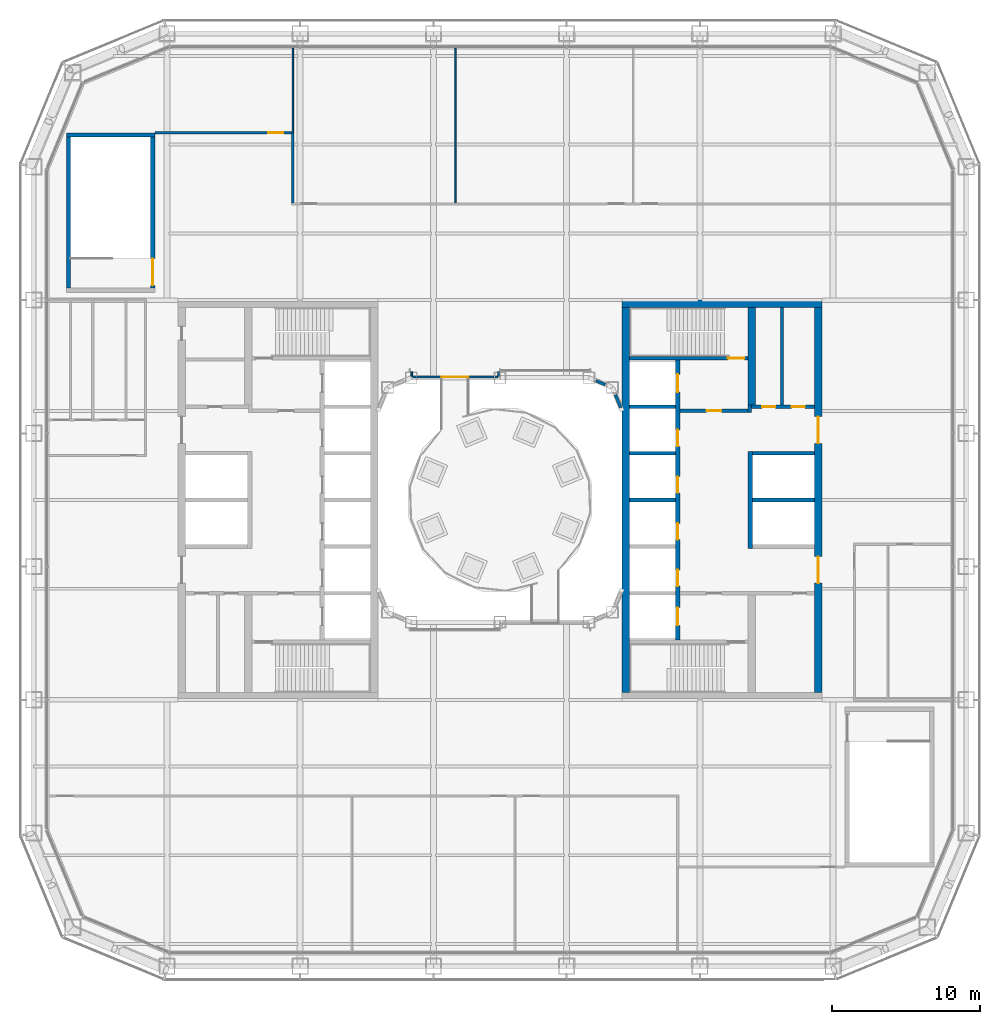
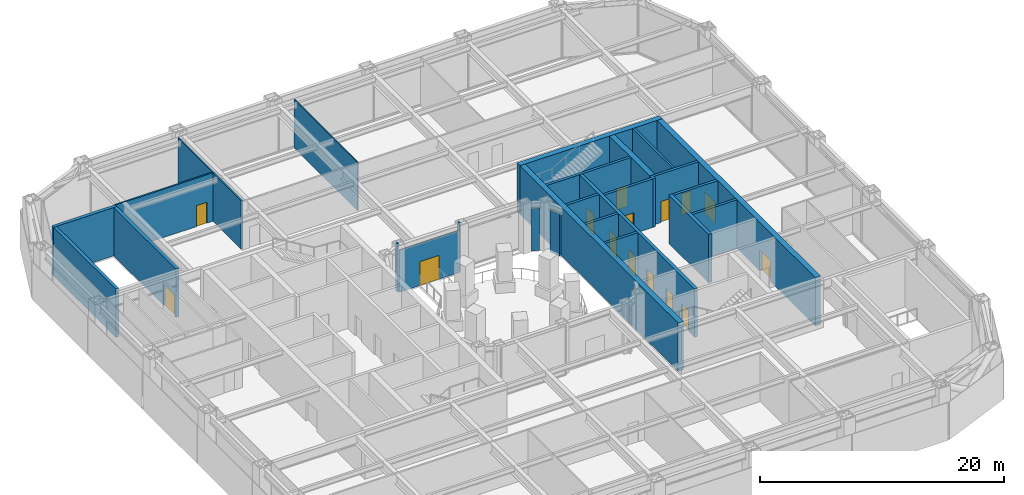
# One storey, part 14 of 25: 28 walls, 15 doors, 15 openings.
"""IFC4 building model written with IfcOpenShell, lengths in metres."""

from ifc_helpers import new_model, si_unit, direction, frame, frame_2d, origin, place, context, subcontext, project, spatial, rectangle, extrude, material, layer, layer_set, type_object, element, fill, save


model = new_model("IFC4")

# Units and contexts
model_context = context("Model", 3, precision=1e-05, world=origin(), true_north=direction((0.0, 1.0)))
body_context = subcontext(model_context, "Body", "Model", "MODEL_VIEW")
ifc_project = project(units=[si_unit("LENGTHUNIT", "METRE"), si_unit("AREAUNIT", "SQUARE_METRE"), si_unit("VOLUMEUNIT", "CUBIC_METRE"), si_unit("PLANEANGLEUNIT", "RADIAN"), si_unit("MASSUNIT", "GRAM", prefix="KILO")], contexts=[model_context])

# Site, building, storey
site_placement = place(None, origin())
site = spatial("IfcSite", under=ifc_project, at=site_placement, CompositionType="ELEMENT")
building_placement = place(site_placement, origin())
building = spatial("IfcBuilding", under=site, at=building_placement, Name="Siwar Civic Tower", CompositionType="ELEMENT")
storey_placement = place(building_placement, frame((0.0, 0.0, 17.199951171875)))
storey = spatial("IfcBuildingStorey", under=building, at=storey_placement, Name="L03", CompositionType="ELEMENT", Elevation=17.199951171875)

# Wall
ifc_material_1 = material(Name="Gypsum board on steel studs", Category="steel")
ifc_layer_1 = layer(ifc_material_1, 0.199951171875)
ifc_layer_set_1 = layer_set([ifc_layer_1], Name="Gypsum board on steel studs")
wall_type_1 = type_object("IfcWallType", Name="CORE-PARTITION-200", PredefinedType="PARTITIONING", material=ifc_layer_set_1)
wall_1_placement = place(storey_placement, frame((19.050048828125, 6.425048828125, 0.0), z_axis=(0.0, 0.0, 1.0), x_axis=(0.0, 1.0, 0.0)))
element("IfcWall", 1, at=wall_1_placement, inside=storey, type_object=wall_type_1, Name="Core partition E", PredefinedType="PARTITIONING", context=body_context, shape_type="SweptSolid", body=[
    extrude(rectangle(XDim=6.574951171875, YDim=0.199951171875, at=frame_2d((3.28759765625, 0.0))), origin(), (0.0, 0.0, 1.0), 4.85009765625),
])

# Wall, opening, door
ifc_material_2 = material(Name="Concrete C60/75", Category="concrete")
ifc_layer_2 = layer(ifc_material_2, 0.25)
ifc_layer_set_2 = layer_set([ifc_layer_2], Name="Concrete C60/75")
wall_type_2 = type_object("IfcWallType", Name="CORE-WALL-RC250", PredefinedType="SHEAR", material=ifc_layer_set_2)
wall_2_placement = place(storey_placement, frame((12.14990234375, 6.02490234375, 0.0), z_axis=(0.0, 0.0, 1.0), x_axis=(1.0, 0.0, 0.0)))
wall_2 = element("IfcWall", 2, at=wall_2_placement, inside=storey, type_object=wall_type_2, Name="Core wall E", PredefinedType="SHEAR", context=body_context, shape_type="SweptSolid", body=[
    extrude(rectangle(XDim=4.60009765625, YDim=0.25, at=frame_2d((2.300048828125, 0.0))), origin(), (0.0, 0.0, 1.0), 4.85009765625),
])
opening_1_placement = place(wall_2_placement, frame((1.800048828125, 0.0, 0.0)))
opening_1 = element("IfcOpeningElement", 3, at=opening_1_placement, cuts=wall_2, Name="Opening L03-CE01", PredefinedType="OPENING", context=body_context, shape_type="SweptSolid", body=[
    extrude(rectangle(XDim=1.0, YDim=2.10009765625, at=frame_2d((0.5, 1.050048828125))), frame((0.0, 0.135009765625, 0.0), z_axis=(0.0, -1.0, 0.0), x_axis=(1.0, 0.0, 0.0)), (0.0, 0.0, 1.0), 0.27001953125),
])
ifc_material_3 = material(Name="Steel door leaf", Category="steel")
door_type_1 = type_object("IfcDoorType", Name="CORE-DOOR-FD30S", OperationType="SINGLE_SWING_LEFT", PredefinedType="DOOR", material=ifc_material_3)
door_1_placement = place(opening_1_placement, origin())
door_1 = element("IfcDoor", 4, at=door_1_placement, inside=storey, type_object=door_type_1, Name="Firefighting lobby door L03-CE01", OperationType="SINGLE_SWING_RIGHT", OverallHeight=2.10009765625, OverallWidth=1.0, PredefinedType="DOOR", context=body_context, shape_type="SweptSolid", body=[
    extrude(rectangle(XDim=1.0, YDim=2.10009765625, at=frame_2d((0.5, 1.050048828125))), frame((0.0, 0.02490234375, 0.0), z_axis=(0.0, -1.0, 0.0), x_axis=(1.0, 0.0, 0.0)), (0.0, 0.0, 1.0), 0.050048828125),
])
fill(opening_1, door_1)

# Wall
wall_3_placement = place(storey_placement, frame((16.875, 5.89990234375, 0.0), z_axis=(0.0, 0.0, 1.0), x_axis=(0.0, 1.0, 0.0)))
element("IfcWall", 5, at=wall_3_placement, inside=storey, type_object=wall_type_2, Name="Core wall E", PredefinedType="SHEAR", context=body_context, shape_type="SweptSolid", body=[
    extrude(rectangle(XDim=0.525146484375, YDim=0.25, at=frame_2d((0.2626953125, 0.0))), origin(), (0.0, 0.0, 1.0), 4.85009765625),
])

# Wall, openings, doors
wall_4_placement = place(storey_placement, frame((17.0, 6.300048828125, 0.0), z_axis=(0.0, 0.0, 1.0), x_axis=(1.0, 0.0, 0.0)))
wall_4 = element("IfcWall", 6, at=wall_4_placement, inside=storey, type_object=wall_type_2, Name="Core wall E", PredefinedType="SHEAR", context=body_context, shape_type="SweptSolid", body=[
    extrude(rectangle(XDim=4.25, YDim=0.25, at=frame_2d((2.125, 0.0))), origin(), (0.0, 0.0, 1.0), 4.85009765625),
])
opening_2_placement = place(wall_4_placement, frame((0.699951171875, 0.0, 0.0)))
opening_2 = element("IfcOpeningElement", 7, at=opening_2_placement, cuts=wall_4, Name="Opening L03-CE13", PredefinedType="OPENING", context=body_context, shape_type="SweptSolid", body=[
    extrude(rectangle(XDim=0.89990234375, YDim=2.10009765625, at=frame_2d((0.449951171875, 1.050048828125))), frame((0.0, 0.135009765625, 0.0), z_axis=(0.0, -1.0, 0.0), x_axis=(1.0, 0.0, 0.0)), (0.0, 0.0, 1.0), 0.27001953125),
])
opening_3_placement = place(wall_4_placement, frame((2.699951171875, 0.0, 0.0)))
opening_3 = element("IfcOpeningElement", 8, at=opening_3_placement, cuts=wall_4, Name="Opening L03-CE14", PredefinedType="OPENING", context=body_context, shape_type="SweptSolid", body=[
    extrude(rectangle(XDim=0.89990234375, YDim=2.10009765625, at=frame_2d((0.449951171875, 1.050048828125))), frame((0.0, 0.135009765625, 0.0), z_axis=(0.0, -1.0, 0.0), x_axis=(1.0, 0.0, 0.0)), (0.0, 0.0, 1.0), 0.27001953125),
])
ifc_material_4 = material(Name="Steel door leaf", Category="steel")
door_type_2 = type_object("IfcDoorType", Name="CORE-DOOR-ROOM", OperationType="SINGLE_SWING_LEFT", PredefinedType="DOOR", material=ifc_material_4)
door_2_placement = place(opening_2_placement, origin())
door_2 = element("IfcDoor", 9, at=door_2_placement, inside=storey, type_object=door_type_2, Name="Core room door L03-CE13", OperationType="SINGLE_SWING_LEFT", OverallHeight=2.10009765625, OverallWidth=0.89990234375, PredefinedType="DOOR", context=body_context, shape_type="SweptSolid", body=[
    extrude(rectangle(XDim=0.89990234375, YDim=2.10009765625, at=frame_2d((0.449951171875, 1.050048828125))), frame((0.0, 0.02490234375, 0.0), z_axis=(0.0, -1.0, 0.0), x_axis=(1.0, 0.0, 0.0)), (0.0, 0.0, 1.0), 0.050048828125),
])
fill(opening_2, door_2)
door_3_placement = place(opening_3_placement, origin())
door_3 = element("IfcDoor", 10, at=door_3_placement, inside=storey, type_object=door_type_2, Name="Core room door L03-CE14", OperationType="SINGLE_SWING_RIGHT", OverallHeight=2.10009765625, OverallWidth=0.89990234375, PredefinedType="DOOR", context=body_context, shape_type="SweptSolid", body=[
    extrude(rectangle(XDim=0.89990234375, YDim=2.10009765625, at=frame_2d((0.449951171875, 1.050048828125))), frame((0.0, 0.02490234375, 0.0), z_axis=(0.0, -1.0, 0.0), x_axis=(1.0, 0.0, 0.0)), (0.0, 0.0, 1.0), 0.050048828125),
])
fill(opening_3, door_3)

# Walls
for number, where, z_axis, x_axis, name in (
    (11, (17.050048828125, 0.0, 0.0), (0.0, 0.0, 1.0), (1.0, 0.0, 0.0), "Core wall E"),
    (12, (17.050048828125, 3.14990234375, 0.0), (0.0, 0.0, 1.0), (1.0, 0.0, 0.0), "Core wall E"),
):
    element("IfcWall", number, at=place(storey_placement, frame(where, z_axis=z_axis, x_axis=x_axis)), inside=storey, type_object=wall_type_2, Name=name, PredefinedType="SHEAR", context=body_context, shape_type="SweptSolid", body=[
        extrude(rectangle(XDim=4.199951171875, YDim=0.25, at=frame_2d((2.10009765625, 0.0))), origin(), (0.0, 0.0, 1.0), 4.85009765625),
    ])
for number, where, z_axis, x_axis, name in (
    (13, (8.75, 0.0, 0.0), (0.0, 0.0, 1.0), (1.0, 0.0, 0.0), "Core wall E"),
    (14, (8.75, 3.14990234375, 0.0), (0.0, 0.0, 1.0), (1.0, 0.0, 0.0), "Core wall E"),
    (15, (8.75, 6.300048828125, 0.0), (0.0, 0.0, 1.0), (1.0, 0.0, 0.0), "Core wall E"),
):
    element("IfcWall", number, at=place(storey_placement, frame(where, z_axis=z_axis, x_axis=x_axis)), inside=storey, type_object=wall_type_2, Name=name, PredefinedType="SHEAR", context=body_context, shape_type="SweptSolid", body=[
        extrude(rectangle(XDim=3.10009765625, YDim=0.25, at=frame_2d((1.550048828125, 0.0))), origin(), (0.0, 0.0, 1.0), 4.85009765625),
    ])

# Wall, opening, door
wall_5_placement = place(storey_placement, frame((8.75, 9.574951171875, 0.0), z_axis=(0.0, 0.0, 1.0), x_axis=(1.0, 0.0, 0.0)))
wall_5 = element("IfcWall", 16, at=wall_5_placement, inside=storey, type_object=wall_type_2, Name="Core wall E", PredefinedType="SHEAR", context=body_context, shape_type="SweptSolid", body=[
    extrude(rectangle(XDim=8.0, YDim=0.25, at=frame_2d((4.0, 0.0))), origin(), (0.0, 0.0, 1.0), 4.85009765625),
])
opening_4_placement = place(wall_5_placement, frame((6.64990234375, 0.0, 0.0)))
opening_4 = element("IfcOpeningElement", 17, at=opening_4_placement, cuts=wall_5, Name="Opening L03-CE03", PredefinedType="OPENING", context=body_context, shape_type="SweptSolid", body=[
    extrude(rectangle(XDim=1.10009765625, YDim=2.10009765625, at=frame_2d((0.550048828125, 1.050048828125))), frame((0.0, 0.135009765625, 0.0), z_axis=(0.0, -1.0, 0.0), x_axis=(1.0, 0.0, 0.0)), (0.0, 0.0, 1.0), 0.27001953125),
])
ifc_material_5 = material(Name="Steel door leaf", Category="steel")
door_type_3 = type_object("IfcDoorType", Name="CORE-DOOR-FD60S", OperationType="SINGLE_SWING_LEFT", PredefinedType="DOOR", material=ifc_material_5)
door_4_placement = place(opening_4_placement, origin())
door_4 = element("IfcDoor", 18, at=door_4_placement, inside=storey, type_object=door_type_3, Name="Stair door L03-CE03", OperationType="SINGLE_SWING_LEFT", OverallHeight=2.10009765625, OverallWidth=1.10009765625, PredefinedType="DOOR", context=body_context, shape_type="SweptSolid", body=[
    extrude(rectangle(XDim=1.10009765625, YDim=2.10009765625, at=frame_2d((0.550048828125, 1.050048828125))), frame((0.0, 0.02490234375, 0.0), z_axis=(0.0, -1.0, 0.0), x_axis=(1.0, 0.0, 0.0)), (0.0, 0.0, 1.0), 0.050048828125),
])
fill(opening_4, door_4)

# Wall, openings, doors
ifc_material_6 = material(Name="Concrete C60/75", Category="concrete")
ifc_layer_3 = layer(ifc_material_6, 0.300048828125)
ifc_layer_set_3 = layer_set([ifc_layer_3], Name="Concrete C60/75")
wall_type_3 = type_object("IfcWallType", Name="CORE-WALL-RC300", PredefinedType="SHEAR", material=ifc_layer_set_3)
wall_6_placement = place(storey_placement, frame((12.0, -9.449951171875, 0.0), z_axis=(0.0, 0.0, 1.0), x_axis=(0.0, 1.0, 0.0)))
wall_6 = element("IfcWall", 19, at=wall_6_placement, inside=storey, type_object=wall_type_3, Name="Core wall E", PredefinedType="SHEAR", context=body_context, shape_type="SweptSolid", body=[
    extrude(rectangle(XDim=18.89990234375, YDim=0.300048828125, at=frame_2d((9.449951171875, 0.0))), origin(), (0.0, 0.0, 1.0), 4.85009765625),
])
opening_5_placement = place(wall_6_placement, frame((3.625, 0.0, 0.0)))
opening_5 = element("IfcOpeningElement", 20, at=opening_5_placement, cuts=wall_6, Name="Opening L03-CE07", PredefinedType="OPENING", context=body_context, shape_type="SweptSolid", body=[
    extrude(rectangle(XDim=1.10009765625, YDim=2.10009765625, at=frame_2d((0.550048828125, 1.050048828125))), frame((0.0, 0.16015625, 0.0), z_axis=(0.0, -1.0, 0.0), x_axis=(1.0, 0.0, 0.0)), (0.0, 0.0, 1.0), 0.320068359375),
])
opening_6_placement = place(wall_6_placement, frame((6.77490234375, 0.0, 0.0)))
opening_6 = element("IfcOpeningElement", 21, at=opening_6_placement, cuts=wall_6, Name="Opening L03-CE08", PredefinedType="OPENING", context=body_context, shape_type="SweptSolid", body=[
    extrude(rectangle(XDim=1.10009765625, YDim=2.10009765625, at=frame_2d((0.550048828125, 1.050048828125))), frame((0.0, 0.16015625, 0.0), z_axis=(0.0, -1.0, 0.0), x_axis=(1.0, 0.0, 0.0)), (0.0, 0.0, 1.0), 0.320068359375),
])
opening_7_placement = place(wall_6_placement, frame((9.925048828125, 0.0, 0.0)))
opening_7 = element("IfcOpeningElement", 22, at=opening_7_placement, cuts=wall_6, Name="Opening L03-CE09", PredefinedType="OPENING", context=body_context, shape_type="SweptSolid", body=[
    extrude(rectangle(XDim=1.10009765625, YDim=2.10009765625, at=frame_2d((0.550048828125, 1.050048828125))), frame((0.0, 0.16015625, 0.0), z_axis=(0.0, -1.0, 0.0), x_axis=(1.0, 0.0, 0.0)), (0.0, 0.0, 1.0), 0.320068359375),
])
opening_8_placement = place(wall_6_placement, frame((13.074951171875, 0.0, 0.0)))
opening_8 = element("IfcOpeningElement", 23, at=opening_8_placement, cuts=wall_6, Name="Opening L03-CE10", PredefinedType="OPENING", context=body_context, shape_type="SweptSolid", body=[
    extrude(rectangle(XDim=1.10009765625, YDim=2.10009765625, at=frame_2d((0.550048828125, 1.050048828125))), frame((0.0, 0.16015625, 0.0), z_axis=(0.0, -1.0, 0.0), x_axis=(1.0, 0.0, 0.0)), (0.0, 0.0, 1.0), 0.320068359375),
])
opening_9_placement = place(wall_6_placement, frame((16.72509765625, 0.0, 0.0)))
opening_9 = element("IfcOpeningElement", 24, at=opening_9_placement, cuts=wall_6, Name="Opening L03-CE11", PredefinedType="OPENING", context=body_context, shape_type="SweptSolid", body=[
    extrude(rectangle(XDim=1.199951171875, YDim=2.10009765625, at=frame_2d((0.60009765625, 1.050048828125))), frame((0.0, 0.16015625, 0.0), z_axis=(0.0, -1.0, 0.0), x_axis=(1.0, 0.0, 0.0)), (0.0, 0.0, 1.0), 0.320068359375),
])
opening_10_placement = place(wall_6_placement, frame((0.97509765625, 0.0, 0.0)))
opening_10 = element("IfcOpeningElement", 25, at=opening_10_placement, cuts=wall_6, Name="Opening L03-CE12", PredefinedType="OPENING", context=body_context, shape_type="SweptSolid", body=[
    extrude(rectangle(XDim=1.199951171875, YDim=2.10009765625, at=frame_2d((0.60009765625, 1.050048828125))), frame((0.0, 0.16015625, 0.0), z_axis=(0.0, -1.0, 0.0), x_axis=(1.0, 0.0, 0.0)), (0.0, 0.0, 1.0), 0.320068359375),
])
ifc_material_7 = material(Name="Steel door leaf", Category="steel")
door_type_4 = type_object("IfcDoorType", Name="CORE-DOOR-LD", OperationType="DOUBLE_DOOR_SLIDING", PredefinedType="DOOR", material=ifc_material_7)
door_5_placement = place(opening_5_placement, origin())
door_5 = element("IfcDoor", 26, at=door_5_placement, inside=storey, type_object=door_type_4, Name="Landing door LR5 L03-CE07", OperationType="DOUBLE_DOOR_SLIDING", OverallHeight=2.10009765625, OverallWidth=1.10009765625, PredefinedType="DOOR", context=body_context, shape_type="SweptSolid", body=[
    extrude(rectangle(XDim=1.10009765625, YDim=2.10009765625, at=frame_2d((0.550048828125, 1.050048828125))), frame((0.0, 0.02490234375, 0.0), z_axis=(0.0, -1.0, 0.0), x_axis=(1.0, 0.0, 0.0)), (0.0, 0.0, 1.0), 0.050048828125),
])
fill(opening_5, door_5)
door_6_placement = place(opening_6_placement, origin())
door_6 = element("IfcDoor", 27, at=door_6_placement, inside=storey, type_object=door_type_4, Name="Landing door LR6 L03-CE08", OperationType="DOUBLE_DOOR_SLIDING", OverallHeight=2.10009765625, OverallWidth=1.10009765625, PredefinedType="DOOR", context=body_context, shape_type="SweptSolid", body=[
    extrude(rectangle(XDim=1.10009765625, YDim=2.10009765625, at=frame_2d((0.550048828125, 1.050048828125))), frame((0.0, 0.02490234375, 0.0), z_axis=(0.0, -1.0, 0.0), x_axis=(1.0, 0.0, 0.0)), (0.0, 0.0, 1.0), 0.050048828125),
])
fill(opening_6, door_6)
door_7_placement = place(opening_7_placement, origin())
door_7 = element("IfcDoor", 28, at=door_7_placement, inside=storey, type_object=door_type_4, Name="Landing door LR7 L03-CE09", OperationType="DOUBLE_DOOR_SLIDING", OverallHeight=2.10009765625, OverallWidth=1.10009765625, PredefinedType="DOOR", context=body_context, shape_type="SweptSolid", body=[
    extrude(rectangle(XDim=1.10009765625, YDim=2.10009765625, at=frame_2d((0.550048828125, 1.050048828125))), frame((0.0, 0.02490234375, 0.0), z_axis=(0.0, -1.0, 0.0), x_axis=(1.0, 0.0, 0.0)), (0.0, 0.0, 1.0), 0.050048828125),
])
fill(opening_7, door_7)
door_8_placement = place(opening_8_placement, origin())
door_8 = element("IfcDoor", 29, at=door_8_placement, inside=storey, type_object=door_type_4, Name="Landing door LR8 L03-CE10", OperationType="DOUBLE_DOOR_SLIDING", OverallHeight=2.10009765625, OverallWidth=1.10009765625, PredefinedType="DOOR", context=body_context, shape_type="SweptSolid", body=[
    extrude(rectangle(XDim=1.10009765625, YDim=2.10009765625, at=frame_2d((0.550048828125, 1.050048828125))), frame((0.0, 0.02490234375, 0.0), z_axis=(0.0, -1.0, 0.0), x_axis=(1.0, 0.0, 0.0)), (0.0, 0.0, 1.0), 0.050048828125),
])
fill(opening_8, door_8)
ifc_material_8 = material(Name="Steel door leaf", Category="steel")
door_type_5 = type_object("IfcDoorType", Name="CORE-DOOR-LDW", OperationType="DOUBLE_DOOR_SLIDING", PredefinedType="DOOR", material=ifc_material_8)
door_9_placement = place(opening_9_placement, origin())
door_9 = element("IfcDoor", 30, at=door_9_placement, inside=storey, type_object=door_type_5, Name="Landing door FF2 L03-CE11", OperationType="DOUBLE_DOOR_SLIDING", OverallHeight=2.10009765625, OverallWidth=1.199951171875, PredefinedType="DOOR", context=body_context, shape_type="SweptSolid", body=[
    extrude(rectangle(XDim=1.199951171875, YDim=2.10009765625, at=frame_2d((0.60009765625, 1.050048828125))), frame((0.0, 0.02490234375, 0.0), z_axis=(0.0, -1.0, 0.0), x_axis=(1.0, 0.0, 0.0)), (0.0, 0.0, 1.0), 0.050048828125),
])
fill(opening_9, door_9)
door_10_placement = place(opening_10_placement, origin())
door_10 = element("IfcDoor", 31, at=door_10_placement, inside=storey, type_object=door_type_5, Name="Landing door SV2 L03-CE12", OperationType="DOUBLE_DOOR_SLIDING", OverallHeight=2.10009765625, OverallWidth=1.199951171875, PredefinedType="DOOR", context=body_context, shape_type="SweptSolid", body=[
    extrude(rectangle(XDim=1.199951171875, YDim=2.10009765625, at=frame_2d((0.60009765625, 1.050048828125))), frame((0.0, 0.02490234375, 0.0), z_axis=(0.0, -1.0, 0.0), x_axis=(1.0, 0.0, 0.0)), (0.0, 0.0, 1.0), 0.050048828125),
])
fill(opening_10, door_10)

# Wall
wall_7_placement = place(storey_placement, frame((16.89990234375, -3.27490234375, 0.0), z_axis=(0.0, 0.0, 1.0), x_axis=(0.0, 1.0, 0.0)))
element("IfcWall", 32, at=wall_7_placement, inside=storey, type_object=wall_type_3, Name="Core wall E", PredefinedType="SHEAR", context=body_context, shape_type="SweptSolid", body=[
    extrude(rectangle(XDim=6.5498046875, YDim=0.300048828125, at=frame_2d((3.27490234375, 0.0))), origin(), (0.0, 0.0, 1.0), 4.85009765625),
])

# Wall, openings, doors
ifc_material_9 = material(Name="Concrete C60/75", Category="concrete")
ifc_layer_4 = layer(ifc_material_9, 0.5)
ifc_layer_set_4 = layer_set([ifc_layer_4], Name="Concrete C60/75")
wall_type_4 = type_object("IfcWallType", Name="CORE-WALL-RC500", PredefinedType="SHEAR", material=ifc_layer_set_4)
wall_8_placement = place(storey_placement, frame((21.5, -13.0, 0.0), z_axis=(0.0, 0.0, 1.0), x_axis=(0.0, 1.0, 0.0)))
wall_8 = element("IfcWall", 33, at=wall_8_placement, inside=storey, type_object=wall_type_4, Name="Core wall E", PredefinedType="SHEAR", context=body_context, shape_type="SweptSolid", body=[
    extrude(rectangle(XDim=26.0, YDim=0.5, at=frame_2d((13.0, 0.0))), origin(), (0.0, 0.0, 1.0), 4.85009765625),
])
opening_11_placement = place(wall_8_placement, frame((16.824951171875, 0.0, 0.0)))
opening_11 = element("IfcOpeningElement", 34, at=opening_11_placement, cuts=wall_8, Name="Opening L03-CE05", PredefinedType="OPENING", context=body_context, shape_type="SweptSolid", body=[
    extrude(rectangle(XDim=1.800048828125, YDim=2.10009765625, at=frame_2d((0.89990234375, 1.050048828125))), frame((0.0, 0.260009765625, 0.0), z_axis=(0.0, -1.0, 0.0), x_axis=(1.0, 0.0, 0.0)), (0.0, 0.0, 1.0), 0.52001953125),
])
opening_12_placement = place(wall_8_placement, frame((7.375, 0.0, 0.0)))
opening_12 = element("IfcOpeningElement", 35, at=opening_12_placement, cuts=wall_8, Name="Opening L03-CE06", PredefinedType="OPENING", context=body_context, shape_type="SweptSolid", body=[
    extrude(rectangle(XDim=1.800048828125, YDim=2.10009765625, at=frame_2d((0.89990234375, 1.050048828125))), frame((0.0, 0.260009765625, 0.0), z_axis=(0.0, -1.0, 0.0), x_axis=(1.0, 0.0, 0.0)), (0.0, 0.0, 1.0), 0.52001953125),
])
ifc_material_10 = material(Name="Steel door leaf", Category="steel")
door_type_6 = type_object("IfcDoorType", Name="CORE-DOOR-PORT", OperationType="DOUBLE_DOOR_DOUBLE_SWING", PredefinedType="DOOR", material=ifc_material_10)
door_11_placement = place(opening_11_placement, origin())
door_11 = element("IfcDoor", 36, at=door_11_placement, inside=storey, type_object=door_type_6, Name="Core entrance door L03-CE05", OperationType="DOUBLE_DOOR_DOUBLE_SWING", OverallHeight=2.10009765625, OverallWidth=1.800048828125, PredefinedType="DOOR", context=body_context, shape_type="SweptSolid", body=[
    extrude(rectangle(XDim=1.800048828125, YDim=2.10009765625, at=frame_2d((0.89990234375, 1.050048828125))), frame((0.0, 0.02490234375, 0.0), z_axis=(0.0, -1.0, 0.0), x_axis=(1.0, 0.0, 0.0)), (0.0, 0.0, 1.0), 0.050048828125),
])
fill(opening_11, door_11)
door_12_placement = place(opening_12_placement, origin())
door_12 = element("IfcDoor", 37, at=door_12_placement, inside=storey, type_object=door_type_6, Name="Core entrance door L03-CE06", OperationType="DOUBLE_DOOR_DOUBLE_SWING", OverallHeight=2.10009765625, OverallWidth=1.800048828125, PredefinedType="DOOR", context=body_context, shape_type="SweptSolid", body=[
    extrude(rectangle(XDim=1.800048828125, YDim=2.10009765625, at=frame_2d((0.89990234375, 1.050048828125))), frame((0.0, 0.02490234375, 0.0), z_axis=(0.0, -1.0, 0.0), x_axis=(1.0, 0.0, 0.0)), (0.0, 0.0, 1.0), 0.050048828125),
])
fill(opening_12, door_12)

# Walls
wall_9_placement = place(storey_placement, frame((17.0, 6.425048828125, 0.0), z_axis=(0.0, 0.0, 1.0), x_axis=(0.0, 1.0, 0.0)))
element("IfcWall", 38, at=wall_9_placement, inside=storey, type_object=wall_type_4, Name="Core wall E", PredefinedType="SHEAR", context=body_context, shape_type="SweptSolid", body=[
    extrude(rectangle(XDim=6.574951171875, YDim=0.5, at=frame_2d((3.28759765625, 0.0))), origin(), (0.0, 0.0, 1.0), 4.85009765625),
])
wall_10_placement = place(storey_placement, frame((8.25, 13.25, 0.0), z_axis=(0.0, 0.0, 1.0), x_axis=(1.0, 0.0, 0.0)))
element("IfcWall", 39, at=wall_10_placement, inside=storey, type_object=wall_type_4, Name="Core wall E", PredefinedType="SHEAR", context=body_context, shape_type="SweptSolid", body=[
    extrude(rectangle(XDim=13.5, YDim=0.5, at=frame_2d((6.75, 0.0))), origin(), (0.0, 0.0, 1.0), 4.85009765625),
])
ifc_material_11 = material(Name="Concrete C60/75", Category="concrete")
ifc_layer_5 = layer(ifc_material_11, 0.5)
ifc_layer_set_5 = layer_set([ifc_layer_5], Name="Concrete C60/75")
wall_type_5 = type_object("IfcWallType", Name="CORE-WALL-RC500-EXT", PredefinedType="SHEAR", material=ifc_layer_set_5)
wall_11_placement = place(storey_placement, frame((8.5, -13.0, 0.0), z_axis=(0.0, 0.0, 1.0), x_axis=(0.0, 1.0, 0.0)))
element("IfcWall", 40, at=wall_11_placement, inside=storey, type_object=wall_type_5, Name="Core wall E", PredefinedType="SHEAR", context=body_context, shape_type="SweptSolid", body=[
    extrude(rectangle(XDim=26.0, YDim=0.5, at=frame_2d((13.0, 0.0))), origin(), (0.0, 0.0, 1.0), 4.85009765625),
])

# Wall, opening, door
ifc_material_12 = material(Name="Gypsum board on steel studs", Category="steel")
ifc_layer_6 = layer(ifc_material_12, 0.14990234375)
ifc_layer_set_6 = layer_set([ifc_layer_6], Name="Gypsum board on steel studs")
wall_type_6 = type_object("IfcWallType", Name="CORRIDOR PARTITION 150 EI 30", PredefinedType="PARTITIONING", material=ifc_layer_set_6)
wall_12_placement = place(storey_placement, frame((-23.300048828125, 24.800048828125, 0.0), z_axis=(0.0, 0.0, 1.0), x_axis=(1.0, 0.0, 0.0)))
wall_12 = element("IfcWall", 41, at=wall_12_placement, inside=storey, type_object=wall_type_6, Name="L03/wall/P11", PredefinedType="PARTITIONING", context=body_context, shape_type="SweptSolid", body=[
    extrude(rectangle(XDim=9.25, YDim=0.14990234375, at=frame_2d((4.625, 0.0))), origin(), (0.0, 0.0, 1.0), 4.85009765625),
])
opening_13_placement = place(wall_12_placement, frame((7.64990234375, 0.0, 0.0)))
opening_13 = element("IfcOpeningElement", 42, at=opening_13_placement, cuts=wall_12, Name="Opening D1", PredefinedType="OPENING", context=body_context, shape_type="SweptSolid", body=[
    extrude(rectangle(XDim=1.0, YDim=2.10009765625, at=frame_2d((0.5, 1.050048828125))), frame((0.0, 0.0849609375, 0.0), z_axis=(0.0, -1.0, 0.0), x_axis=(1.0, 0.0, 0.0)), (0.0, 0.0, 1.0), 0.169921875),
])
ifc_material_13 = material(Name="Timber, painted", Category="wood")
door_type_7 = type_object("IfcDoorType", Name="DOOR 1000 X 2100 FD30", OperationType="SINGLE_SWING_LEFT", PredefinedType="DOOR", material=ifc_material_13)
door_13_placement = place(opening_13_placement, origin())
door_13 = element("IfcDoor", 43, at=door_13_placement, inside=storey, type_object=door_type_7, Name="L03-D01", OperationType="SINGLE_SWING_LEFT", OverallHeight=2.10009765625, OverallWidth=1.0, PredefinedType="DOOR", context=body_context, shape_type="SweptSolid", body=[
    extrude(rectangle(XDim=1.0, YDim=2.10009765625, at=frame_2d((0.5, 1.050048828125))), frame((0.0, 0.02490234375, 0.0), z_axis=(0.0, -1.0, 0.0), x_axis=(1.0, 0.0, 0.0)), (0.0, 0.0, 1.0), 0.050048828125),
])
fill(opening_13, door_13)

# Walls
wall_13_placement = place(storey_placement, frame((-14.0, 20.074951171875, 0.0), z_axis=(0.0, 0.0, 1.0), x_axis=(0.0, 1.0, 0.0)))
element("IfcWall", 44, at=wall_13_placement, inside=storey, type_object=wall_type_6, Name="L03/wall/P18", PredefinedType="PARTITIONING", context=body_context, shape_type="SweptSolid", body=[
    extrude(rectangle(XDim=4.72509765625, YDim=0.14990234375, at=frame_2d((2.362548828125, 0.0))), origin(), (0.0, 0.0, 1.0), 4.85009765625),
])
ifc_material_14 = material(Name="Aluminium clad insulated panel", Category="aluminium")
ifc_layer_7 = layer(ifc_material_14, 0.1201171875)
ifc_layer_set_7 = layer_set([ifc_layer_7], Name="Aluminium clad insulated panel")
wall_type_7 = type_object("IfcWallType", Name="ENV-WALL-BAL", PredefinedType="STANDARD", material=ifc_layer_set_7)
for number, where, z_axis, x_axis, name in (
    (45, (-0.094970703125, 8.669921875, 0.0), (0.0, 0.0, 1.0), (0.0, -1.0, 0.0), "Balcony door wall return WN"),
    (46, (-5.95654296875, 8.669921875, 0.0), (0.0, 0.0, 1.0), (0.0, -1.0, 0.0), "Balcony door wall return WN"),
):
    element("IfcWall", number, at=place(storey_placement, frame(where, z_axis=z_axis, x_axis=x_axis)), inside=storey, type_object=wall_type_7, Name=name, PredefinedType="STANDARD", context=body_context, shape_type="SweptSolid", body=[
        extrude(rectangle(XDim=0.2998046875, YDim=0.1201171875, at=frame_2d((0.14990234375, 0.0))), origin(), (0.0, 0.0, 1.0), 4.85009765625),
    ])

# Wall, opening, door
wall_14_placement = place(storey_placement, frame((-0.155029296875, 8.31005859375, 0.0), z_axis=(0.0, 0.0, 1.0), x_axis=(-1.0, 0.0, 0.0)))
wall_14 = element("IfcWall", 47, at=wall_14_placement, inside=storey, type_object=wall_type_7, Name="Balcony door wall WN", PredefinedType="STANDARD", context=body_context, shape_type="SweptSolid", body=[
    extrude(rectangle(XDim=5.741455078125, YDim=0.1201171875, at=frame_2d((2.87060546875, 0.0))), origin(), (0.0, 0.0, 1.0), 4.22998046875),
])
opening_14_placement = place(wall_14_placement, frame((1.99560546875, 0.0, 0.0)))
opening_14 = element("IfcOpeningElement", 48, at=opening_14_placement, cuts=wall_14, Name="Opening D-TR", PredefinedType="OPENING", context=body_context, shape_type="SweptSolid", body=[
    extrude(rectangle(XDim=1.800048828125, YDim=2.39990234375, at=frame_2d((0.89990234375, 1.199951171875))), frame((0.0, 0.070068359375, 0.0), z_axis=(0.0, -1.0, 0.0), x_axis=(1.0, 0.0, 0.0)), (0.0, 0.0, 1.0), 0.14013671875),
])
ifc_material_15 = material(Name="Aluminium and glass", Category="aluminium")
door_type_8 = type_object("IfcDoorType", Name="ENV-DOOR-TERRACE", OperationType="DOUBLE_DOOR_SINGLE_SWING", PredefinedType="DOOR", material=ifc_material_15)
door_14_placement = place(opening_14_placement, origin())
door_14 = element("IfcDoor", 49, at=door_14_placement, inside=storey, type_object=door_type_8, Name="Terrace door N", OperationType="DOUBLE_DOOR_SINGLE_SWING", OverallHeight=2.39990234375, OverallWidth=1.800048828125, PredefinedType="DOOR", context=body_context, shape_type="SweptSolid", body=[
    extrude(rectangle(XDim=1.800048828125, YDim=2.39990234375, at=frame_2d((0.89990234375, 1.199951171875))), frame((0.0, 0.02490234375, 0.0), z_axis=(0.0, -1.0, 0.0), x_axis=(1.0, 0.0, 0.0)), (0.0, 0.0, 1.0), 0.050048828125),
])
fill(opening_14, door_14)

# Walls
ifc_material_16 = material(Name="Aluminium clad insulated panel", Category="aluminium")
ifc_layer_8 = layer(ifc_material_16, 0.199951171875)
ifc_layer_set_8 = layer_set([ifc_layer_8], Name="Aluminium clad insulated panel")
wall_type_8 = type_object("IfcWallType", Name="ENV-WALL-WELL", PredefinedType="STANDARD", material=ifc_layer_set_8)
wall_15_placement = place(storey_placement, frame((8.154296875, 6.23095703125, 0.0), z_axis=(0.0, 0.0, 1.0), x_axis=(-0.382624318388, 0.923904016107, 0.0)))
element("IfcWall", 50, at=wall_15_placement, inside=storey, type_object=wall_type_8, Name="Light well corner wall NE1", PredefinedType="STANDARD", context=body_context, shape_type="SweptSolid", body=[
    extrude(rectangle(XDim=0.949462890625, YDim=0.199951171875, at=frame_2d((0.474609375, 0.0))), origin(), (0.0, 0.0, 1.0), 4.22998046875),
])
wall_16_placement = place(storey_placement, frame((7.108154296875, 7.791015625, 0.0), z_axis=(0.0, 0.0, 1.0), x_axis=(-0.923854141361, 0.382744726273, 0.0)))
element("IfcWall", 51, at=wall_16_placement, inside=storey, type_object=wall_type_8, Name="Light well corner wall NE2", PredefinedType="STANDARD", context=body_context, shape_type="SweptSolid", body=[
    extrude(rectangle(XDim=0.6767578125, YDim=0.199951171875, at=frame_2d((0.33837890625, 0.0))), origin(), (0.0, 0.0, 1.0), 4.22998046875),
])

# Wall, opening, door
ifc_material_17 = material(Name="Concrete C60/75", Category="concrete")
ifc_layer_9 = layer(ifc_material_17, 0.300048828125)
ifc_layer_set_9 = layer_set([ifc_layer_9], Name="Concrete C60/75")
wall_type_9 = type_object("IfcWallType", Name="GND-ES-WALL", PredefinedType="SHEAR", material=ifc_layer_set_9)
wall_17_placement = place(storey_placement, frame((-23.449951171875, 14.300048828125, 0.0), z_axis=(0.0, 0.0, 1.0), x_axis=(0.0, 1.0, 0.0)))
wall_17 = element("IfcWall", 52, at=wall_17_placement, inside=storey, type_object=wall_type_9, Name="Stair wall ST5", PredefinedType="SHEAR", context=body_context, shape_type="SweptSolid", body=[
    extrude(rectangle(XDim=10.199951171875, YDim=0.300048828125, at=frame_2d((5.10009765625, 0.0))), origin(), (0.0, 0.0, 1.0), 4.85009765625),
])
opening_15_placement = place(wall_17_placement, frame((0.199951171875, 0.0, 0.0)))
opening_15 = element("IfcOpeningElement", 53, at=opening_15_placement, cuts=wall_17, Name="Opening SX1", PredefinedType="OPENING", context=body_context, shape_type="SweptSolid", body=[
    extrude(rectangle(XDim=1.800048828125, YDim=2.10009765625, at=frame_2d((0.89990234375, 1.050048828125))), frame((0.0, 0.16015625, 0.0), z_axis=(0.0, -1.0, 0.0), x_axis=(1.0, 0.0, 0.0)), (0.0, 0.0, 1.0), 0.320068359375),
])
ifc_material_18 = material(Name="Steel door leaf", Category="steel")
door_type_9 = type_object("IfcDoorType", Name="GND-ES-DOOR", OperationType="DOUBLE_DOOR_SINGLE_SWING", PredefinedType="DOOR", material=ifc_material_18)
door_15_placement = place(opening_15_placement, origin())
door_15 = element("IfcDoor", 54, at=door_15_placement, inside=storey, type_object=door_type_9, Name="Stair door ST5", OperationType="DOUBLE_DOOR_SINGLE_SWING", OverallHeight=2.10009765625, OverallWidth=1.800048828125, PredefinedType="DOOR", context=body_context, shape_type="SweptSolid", body=[
    extrude(rectangle(XDim=1.800048828125, YDim=2.10009765625, at=frame_2d((0.89990234375, 1.050048828125))), frame((0.0, 0.02490234375, 0.0), z_axis=(0.0, -1.0, 0.0), x_axis=(1.0, 0.0, 0.0)), (0.0, 0.0, 1.0), 0.050048828125),
])
fill(opening_15, door_15)

# Walls
wall_18_placement = place(storey_placement, frame((-29.300048828125, 24.64990234375, 0.0), z_axis=(0.0, 0.0, 1.0), x_axis=(1.0, 0.0, 0.0)))
element("IfcWall", 55, at=wall_18_placement, inside=storey, type_object=wall_type_9, Name="Stair wall ST5", PredefinedType="SHEAR", context=body_context, shape_type="SweptSolid", body=[
    extrude(rectangle(XDim=6.0, YDim=0.300048828125, at=frame_2d((3.0, 0.0))), origin(), (0.0, 0.0, 1.0), 4.85009765625),
])
wall_19_placement = place(storey_placement, frame((-29.14990234375, 14.300048828125, 0.0), z_axis=(0.0, 0.0, 1.0), x_axis=(0.0, 1.0, 0.0)))
element("IfcWall", 56, at=wall_19_placement, inside=storey, type_object=wall_type_9, Name="Stair wall ST5", PredefinedType="SHEAR", context=body_context, shape_type="SweptSolid", body=[
    extrude(rectangle(XDim=10.199951171875, YDim=0.300048828125, at=frame_2d((5.10009765625, 0.0))), origin(), (0.0, 0.0, 1.0), 4.85009765625),
])
ifc_material_19 = material(Name="Gypsum board on steel studs", Category="steel")
ifc_layer_10 = layer(ifc_material_19, 0.10009765625)
ifc_layer_set_10 = layer_set([ifc_layer_10], Name="Gypsum board on steel studs")
wall_type_10 = type_object("IfcWallType", Name="PARTITION 100 GYPSUM", PredefinedType="PARTITIONING", material=ifc_layer_set_10)
wall_20_placement = place(storey_placement, frame((-14.0, 24.800048828125, 0.0), z_axis=(0.0, 0.0, 1.0), x_axis=(0.0, 1.0, 0.0)))
element("IfcWall", 57, at=wall_20_placement, inside=storey, type_object=wall_type_10, Name="L03/wall/P17", PredefinedType="PARTITIONING", context=body_context, shape_type="SweptSolid", body=[
    extrude(rectangle(XDim=5.7099609375, YDim=0.10009765625, at=frame_2d((2.85498046875, 0.0))), origin(), (0.0, 0.0, 1.0), 4.85009765625),
])
wall_21_placement = place(storey_placement, frame((-3.0, 20.074951171875, 0.0), z_axis=(0.0, 0.0, 1.0), x_axis=(0.0, 1.0, 0.0)))
element("IfcWall", 58, at=wall_21_placement, inside=storey, type_object=wall_type_10, Name="L03/wall/P20", PredefinedType="PARTITIONING", context=body_context, shape_type="SweptSolid", body=[
    extrude(rectangle(XDim=10.43505859375, YDim=0.10009765625, at=frame_2d((5.217529296875, 0.0))), origin(), (0.0, 0.0, 1.0), 4.85009765625),
])

save(model, "model.ifc")
